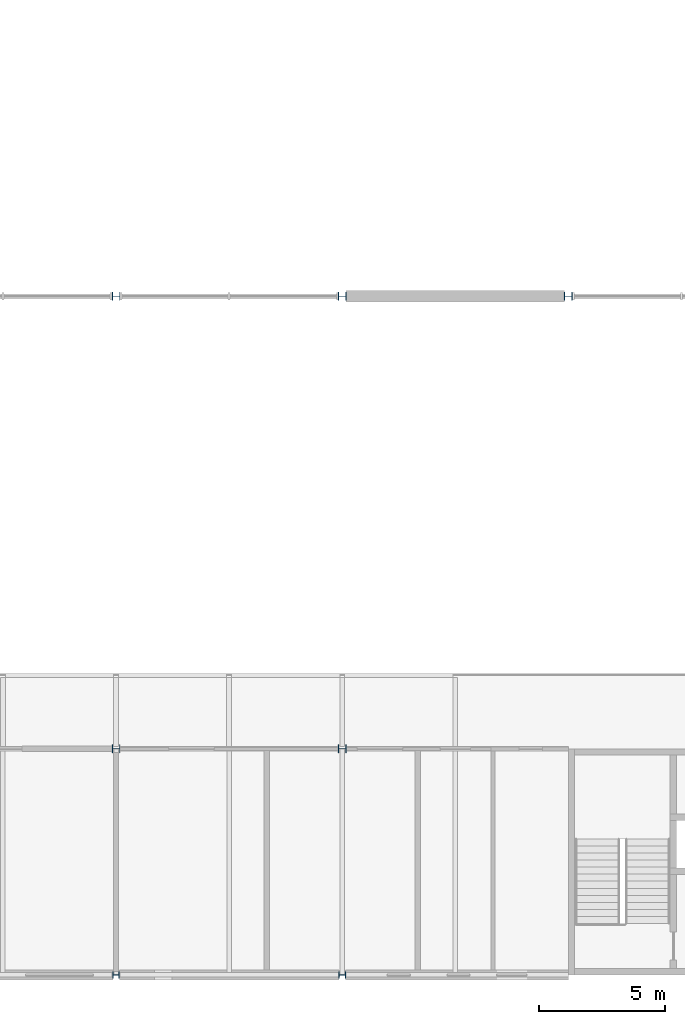
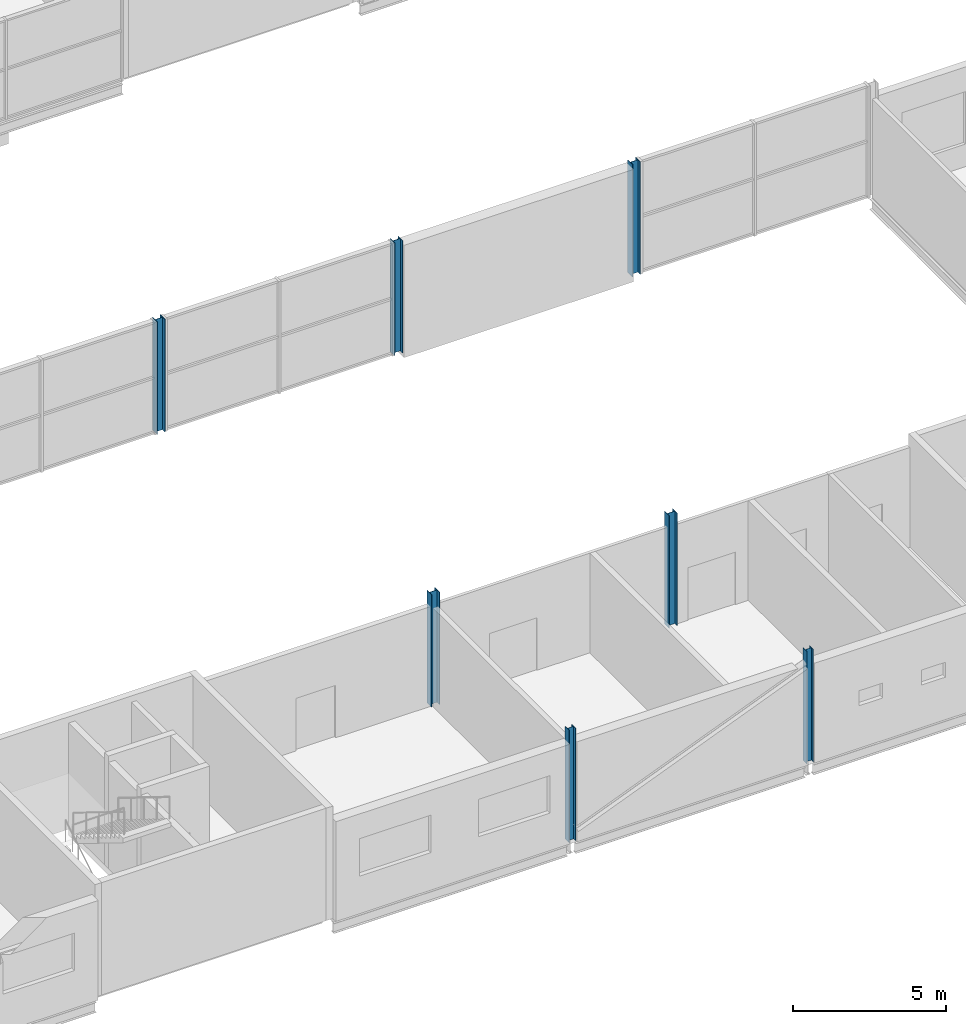
# One storey, part 21 of 97: 7 columns.
"""IFC4 building model written with IfcOpenShell, lengths in metres."""

from ifc_helpers import new_model, si_unit, direction, frame, origin, origin_2d, place, context, subcontext, project, spatial, i_section, extrude, material, material_profile, profile_set, type_object, element, save


model = new_model("IFC4")

# Units and contexts
model_context = context("Model", 3, precision=1e-05, world=origin(), true_north=direction((0.0, 1.0)))
body_context = subcontext(model_context, "Body", "Model", "MODEL_VIEW")
ifc_project = project(units=[si_unit("LENGTHUNIT", "METRE"), si_unit("AREAUNIT", "SQUARE_METRE"), si_unit("VOLUMEUNIT", "CUBIC_METRE"), si_unit("PLANEANGLEUNIT", "RADIAN"), si_unit("MASSUNIT", "GRAM", prefix="KILO")], contexts=[model_context])

# Site, building, storey
site_placement = place(None, origin())
site = spatial("IfcSite", under=ifc_project, at=site_placement, CompositionType="ELEMENT")
building_placement = place(site_placement, origin())
building = spatial("IfcBuilding", under=site, at=building_placement, Name="Corbel Yard City Hall", CompositionType="ELEMENT")
storey_placement = place(building_placement, frame((0.0, 0.0, 6.0)))
storey = spatial("IfcBuildingStorey", under=building, at=storey_placement, Name="L01", CompositionType="ELEMENT", Elevation=6.0)

# Columns
ifc_material = material(Name="Steel Grade 300 (300 MPa yield)", Category="steel")
ifc_material_profile_1 = material_profile(ifc_material, i_section(OverallWidth=0.256103515625, OverallDepth=0.260009765625, WebThickness=0.010498046875, FlangeThickness=0.017333984375, at=origin_2d()), Name="250UC89.5")
ifc_profile_set_1 = profile_set([ifc_material_profile_1], Name="Steel Grade 300 (300 MPa yield)")
column_type_1 = type_object("IfcColumnType", Name="Column 250UC89.5", PredefinedType="COLUMN", material=ifc_profile_set_1)
for number, where, z_axis, x_axis, name in (
    (1, (135.0, 0.0, 0.0), (0.0, 0.0, 1.0), (0.0, 1.0, 0.0), "Column 250UC89.5 A/16 L01"),
    (2, (144.0, 0.0, 0.0), (0.0, 0.0, 1.0), (0.0, 1.0, 0.0), "Column 250UC89.5 A/17 L01"),
):
    element("IfcColumn", number, at=place(storey_placement, frame(where, z_axis=z_axis, x_axis=x_axis)), inside=storey, type_object=column_type_1, Name=name, PredefinedType="COLUMN", context=body_context, shape_type="SweptSolid", body=[
        extrude(i_section(OverallWidth=0.256103515625, OverallDepth=0.260009765625, WebThickness=0.010498046875, FlangeThickness=0.017333984375, at=origin_2d()), origin(), (0.0, 0.0, 1.0), 4.5),
    ])
ifc_material_profile_2 = material_profile(ifc_material, i_section(OverallWidth=0.306884765625, OverallDepth=0.31494140625, WebThickness=0.011962890625, FlangeThickness=0.018798828125, at=origin_2d()), Name="310UC118")
ifc_profile_set_2 = profile_set([ifc_material_profile_2], Name="Steel Grade 300 (300 MPa yield)")
column_type_2 = type_object("IfcColumnType", Name="Column 310UC118", PredefinedType="COLUMN", material=ifc_profile_set_2)
for number, where, z_axis, x_axis, name in (
    (3, (135.0, 9.0, 0.0), (0.0, 0.0, 1.0), (0.0, 1.0, 0.0), "Column 310UC118 B/16 L01"),
    (4, (135.0, 27.0, 0.0), (0.0, 0.0, 1.0), (0.0, 1.0, 0.0), "Column 310UC118 D/16 L01"),
    (5, (144.0, 9.0, 0.0), (0.0, 0.0, 1.0), (0.0, 1.0, 0.0), "Column 310UC118 B/17 L01"),
    (6, (144.0, 27.0, 0.0), (0.0, 0.0, 1.0), (0.0, 1.0, 0.0), "Column 310UC118 D/17 L01"),
    (7, (153.0, 27.0, 0.0), (0.0, 0.0, 1.0), (0.0, 1.0, 0.0), "Column 310UC118 D/18 L01"),
):
    element("IfcColumn", number, at=place(storey_placement, frame(where, z_axis=z_axis, x_axis=x_axis)), inside=storey, type_object=column_type_2, Name=name, PredefinedType="COLUMN", context=body_context, shape_type="SweptSolid", body=[
        extrude(i_section(OverallWidth=0.306884765625, OverallDepth=0.31494140625, WebThickness=0.011962890625, FlangeThickness=0.018798828125, at=origin_2d()), origin(), (0.0, 0.0, 1.0), 4.5),
    ])

save(model, "model.ifc")
